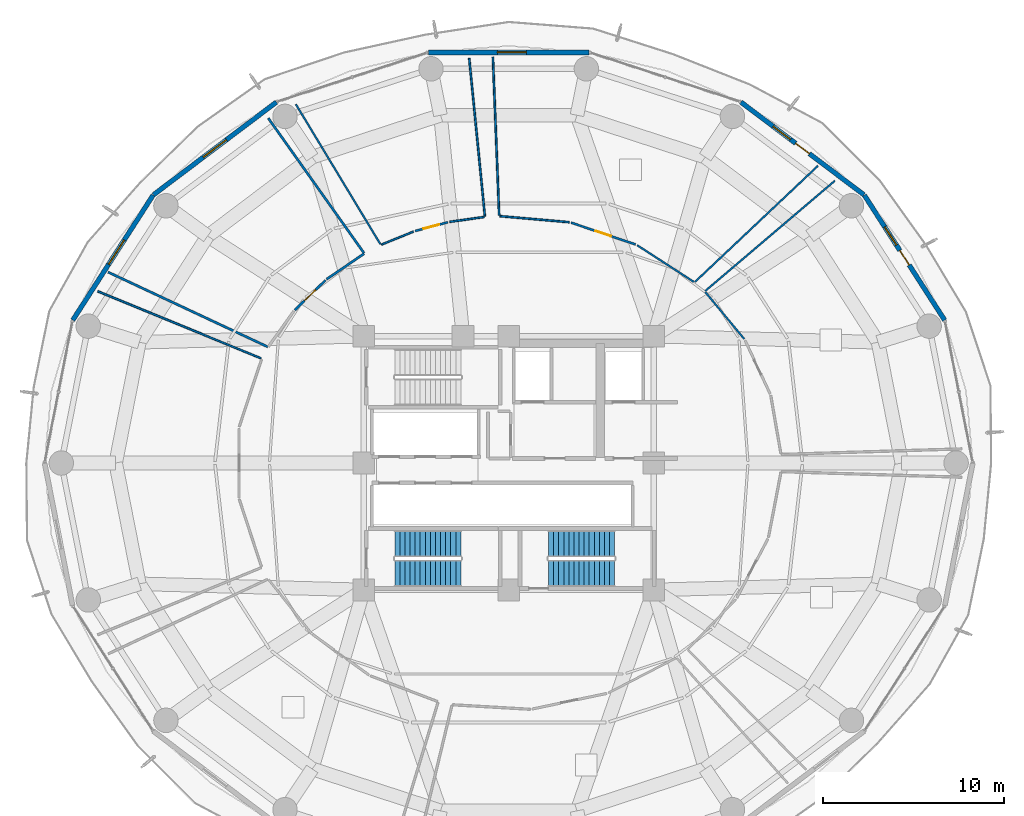
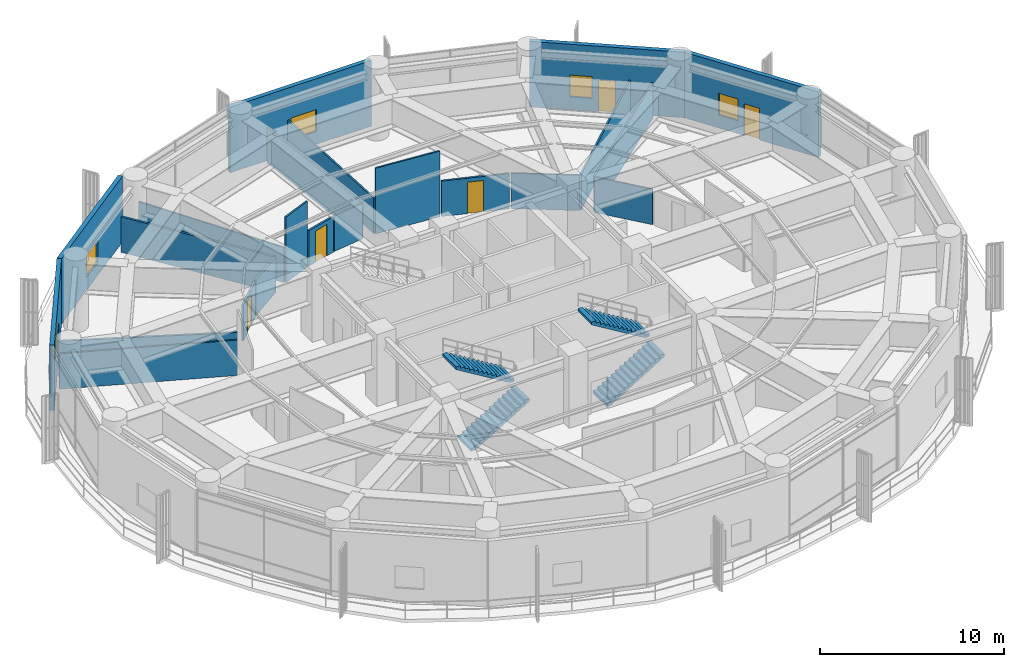
# One storey, part 29 of 34: 22 walls, 5 doors, 5 windows, 4 stair flights, 10 openings, 2 elements without a shape of their own.
"""IFC4 building model written with IfcOpenShell, lengths in metres."""

from ifc_helpers import new_model, si_unit, direction, frame, frame_2d, origin, place, context, subcontext, project, spatial, polyline, rectangle, outline, extrude, material, layer, layer_set, type_object, element, fill, aggregate, save


model = new_model("IFC4")

# Units and contexts
model_context = context("Model", 3, precision=1e-05, world=origin(), true_north=direction((0.0, 1.0)))
body_context = subcontext(model_context, "Body", "Model", "MODEL_VIEW")
ifc_project = project(units=[si_unit("LENGTHUNIT", "METRE"), si_unit("AREAUNIT", "SQUARE_METRE"), si_unit("VOLUMEUNIT", "CUBIC_METRE"), si_unit("PLANEANGLEUNIT", "RADIAN"), si_unit("MASSUNIT", "GRAM", prefix="KILO")], contexts=[model_context])

# Site, building, storey
site_placement = place(None, origin())
site = spatial("IfcSite", under=ifc_project, at=site_placement, CompositionType="ELEMENT")
building_placement = place(site_placement, origin())
building = spatial("IfcBuilding", under=site, at=building_placement, Name="Kelanora Arch Commons", CompositionType="ELEMENT")
storey_placement = place(building_placement, frame((0.0, 0.0, 125.10009765625)))
storey = spatial("IfcBuildingStorey", under=building, at=storey_placement, Name="L32", CompositionType="ELEMENT", Elevation=125.10009765625)

# Wall, openings, door, window
ifc_material_1 = material(Name="Precast concrete C40/50 with terracotta rainscreen", Category="masonry")
ifc_layer_1 = layer(ifc_material_1, 0.260009765625)
ifc_layer_set_1 = layer_set([ifc_layer_1], Name="Precast concrete C40/50 with terracotta rainscreen")
wall_type_1 = type_object("IfcWallType", Name="W-EXT-TC", PredefinedType="SOLIDWALL", material=ifc_layer_set_1)
wall_1_placement = place(storey_placement, frame((98.048095703125, 65.879150390625, 0.0), z_axis=(0.0, 0.0, 1.0), x_axis=(-0.540620528459, 0.841266571432, 0.0)))
wall_1 = element("IfcWall", 1, at=wall_1_placement, inside=storey, type_object=wall_type_1, Name="Terracotta Exterior Wall L32-B01", PredefinedType="SOLIDWALL", context=body_context, shape_type="SweptSolid", body=[
    extrude(rectangle(XDim=8.19287109375, YDim=0.260009765625, at=frame_2d((4.096435546875, 0.0))), origin(), (0.0, 0.0, 1.0), 4.344970703125),
])
opening_1_placement = place(wall_1_placement, frame((3.62109375, 0.0, 0.0)))
opening_1 = element("IfcOpeningElement", 2, at=opening_1_placement, cuts=wall_1, Name="Opening DB-01", PredefinedType="OPENING", context=body_context, shape_type="SweptSolid", body=[
    extrude(rectangle(XDim=0.949951171875, YDim=2.10009765625, at=frame_2d((0.47509765625, 1.050048828125))), frame((0.0, 0.14013671875, 0.0), z_axis=(0.0, -1.0, 0.0), x_axis=(1.0, 0.0, 0.0)), (0.0, 0.0, 1.0), 0.280029296875),
])
opening_2_placement = place(wall_1_placement, frame((4.9208984375, 0.0, 0.85009765625)))
opening_2 = element("IfcOpeningElement", 3, at=opening_2_placement, cuts=wall_1, Name="Opening WN-02", PredefinedType="OPENING", context=body_context, shape_type="SweptSolid", body=[
    extrude(rectangle(XDim=1.199951171875, YDim=1.449951171875, at=frame_2d((0.60009765625, 0.72509765625))), frame((0.0, 0.14013671875, 0.0), z_axis=(0.0, -1.0, 0.0), x_axis=(1.0, 0.0, 0.0)), (0.0, 0.0, 1.0), 0.280029296875),
])
ifc_material_2 = material(Name="Terracotta-aluminium thermally broken glazed balcony door", Category="masonry")
door_type_1 = type_object("IfcDoorType", Name="D-BAL-10", OperationType="NOTDEFINED", PredefinedType="DOOR", material=ifc_material_2)
door_1_placement = place(opening_1_placement, frame((0.949951171875, 0.0, 0.0), z_axis=(0.0, 0.0, 1.0), x_axis=(-1.0, 0.0, 0.0)))
door_1 = element("IfcDoor", 4, at=door_1_placement, inside=storey, type_object=door_type_1, Name="Wave Balcony Door L32-B01", OperationType="SINGLE_SWING_RIGHT", OverallHeight=2.10009765625, OverallWidth=0.949951171875, PredefinedType="DOOR", context=body_context, shape_type="SweptSolid", body=[
    extrude(rectangle(XDim=0.949951171875, YDim=2.10009765625, at=frame_2d((0.47509765625, 1.050048828125))), frame((0.0, 0.02490234375, 0.0), z_axis=(0.0, -1.0, 0.0), x_axis=(1.0, 0.0, 0.0)), (0.0, 0.0, 1.0), 0.050048828125),
])
fill(opening_1, door_1)
ifc_material_3 = material(Name="Terracotta-anodised aluminium frame with operable awning sash", Category="masonry")
window_type_1 = type_object("IfcWindowType", Name="WIN-CL-12", PartitioningType="SINGLE_PANEL", PredefinedType="WINDOW", material=ifc_material_3)
window_1_placement = place(opening_2_placement, origin())
window_1 = element("IfcWindow", 5, at=window_1_placement, inside=storey, type_object=window_type_1, Name="Co-Living Operable Window L32-B01", OverallHeight=1.449951171875, OverallWidth=1.199951171875, PartitioningType="SINGLE_PANEL", PredefinedType="WINDOW", context=body_context, shape_type="SweptSolid", body=[
    extrude(rectangle(XDim=1.199951171875, YDim=1.449951171875, at=frame_2d((0.60009765625, 0.72509765625))), frame((0.0, 0.030029296875, 0.0), z_axis=(0.0, -1.0, 0.0), x_axis=(1.0, 0.0, 0.0)), (0.0, 0.0, 1.0), 0.06005859375),
])
fill(opening_2, window_1)

wall_2_placement = place(storey_placement, frame((93.5986328125, 72.793212890625, 0.0), z_axis=(0.0, 0.0, 1.0), x_axis=(-0.798501507879, 0.601992808857, 0.0)))
wall_2 = element("IfcWall", 6, at=wall_2_placement, inside=storey, type_object=wall_type_1, Name="Terracotta Exterior Wall L32-B02", PredefinedType="SOLIDWALL", context=body_context, shape_type="SweptSolid", body=[
    extrude(rectangle(XDim=8.499267578125, YDim=0.260009765625, at=frame_2d((4.24951171875, 0.0))), origin(), (0.0, 0.0, 1.0), 4.344970703125),
])
opening_3_placement = place(wall_2_placement, frame((3.77490234375, 0.0, 0.0)))
opening_3 = element("IfcOpeningElement", 7, at=opening_3_placement, cuts=wall_2, Name="Opening DB-01", PredefinedType="OPENING", context=body_context, shape_type="SweptSolid", body=[
    extrude(rectangle(XDim=0.949951171875, YDim=2.10009765625, at=frame_2d((0.47509765625, 1.050048828125))), frame((0.0, 0.14013671875, 0.0), z_axis=(0.0, -1.0, 0.0), x_axis=(1.0, 0.0, 0.0)), (0.0, 0.0, 1.0), 0.280029296875),
])
opening_4_placement = place(wall_2_placement, frame((5.074951171875, 0.0, 0.85009765625)))
opening_4 = element("IfcOpeningElement", 8, at=opening_4_placement, cuts=wall_2, Name="Opening WN-02", PredefinedType="OPENING", context=body_context, shape_type="SweptSolid", body=[
    extrude(rectangle(XDim=1.199951171875, YDim=1.449951171875, at=frame_2d((0.60009765625, 0.72509765625))), frame((0.0, 0.14013671875, 0.0), z_axis=(0.0, -1.0, 0.0), x_axis=(1.0, 0.0, 0.0)), (0.0, 0.0, 1.0), 0.280029296875),
])
door_2_placement = place(opening_3_placement, frame((0.949951171875, 0.0, 0.0), z_axis=(0.0, 0.0, 1.0), x_axis=(-1.0, 0.0, 0.0)))
door_2 = element("IfcDoor", 9, at=door_2_placement, inside=storey, type_object=door_type_1, Name="Wave Balcony Door L32-B02", OperationType="SINGLE_SWING_LEFT", OverallHeight=2.10009765625, OverallWidth=0.949951171875, PredefinedType="DOOR", context=body_context, shape_type="SweptSolid", body=[
    extrude(rectangle(XDim=0.949951171875, YDim=2.10009765625, at=frame_2d((0.47509765625, 1.050048828125))), frame((0.0, 0.02490234375, 0.0), z_axis=(0.0, -1.0, 0.0), x_axis=(1.0, 0.0, 0.0)), (0.0, 0.0, 1.0), 0.050048828125),
])
fill(opening_3, door_2)
window_2_placement = place(opening_4_placement, origin())
window_2 = element("IfcWindow", 10, at=window_2_placement, inside=storey, type_object=window_type_1, Name="Co-Living Operable Window L32-B02", OverallHeight=1.449951171875, OverallWidth=1.199951171875, PartitioningType="SINGLE_PANEL", PredefinedType="WINDOW", context=body_context, shape_type="SweptSolid", body=[
    extrude(rectangle(XDim=1.199951171875, YDim=1.449951171875, at=frame_2d((0.60009765625, 0.72509765625))), frame((0.0, 0.030029296875, 0.0), z_axis=(0.0, -1.0, 0.0), x_axis=(1.0, 0.0, 0.0)), (0.0, 0.0, 1.0), 0.06005859375),
])
fill(opening_4, window_2)

# Wall, opening, window
wall_3_placement = place(storey_placement, frame((78.430419921875, 80.650634765625, 0.0), z_axis=(0.0, 0.0, 1.0), x_axis=(-1.0, 0.0, 0.0)))
wall_3 = element("IfcWall", 11, at=wall_3_placement, inside=storey, type_object=wall_type_1, Name="Terracotta Exterior Wall L32-B04", PredefinedType="SOLIDWALL", context=body_context, shape_type="SweptSolid", body=[
    extrude(rectangle(XDim=8.86083984375, YDim=0.260009765625, at=frame_2d((4.430419921875, 0.0))), origin(), (0.0, 0.0, 1.0), 4.344970703125),
])
opening_5_placement = place(wall_3_placement, frame((3.449951171875, 0.0, 0.85009765625)))
opening_5 = element("IfcOpeningElement", 12, at=opening_5_placement, cuts=wall_3, Name="Opening WN-01", PredefinedType="OPENING", context=body_context, shape_type="SweptSolid", body=[
    extrude(rectangle(XDim=1.60009765625, YDim=1.449951171875, at=frame_2d((0.800048828125, 0.72509765625))), frame((0.0, 0.14013671875, 0.0), z_axis=(0.0, -1.0, 0.0), x_axis=(1.0, 0.0, 0.0)), (0.0, 0.0, 1.0), 0.280029296875),
])
ifc_material_4 = material(Name="Terracotta-anodised aluminium frame with operable low-E glazing", Category="masonry")
window_type_2 = type_object("IfcWindowType", Name="WIN-CL-18", PartitioningType="DOUBLE_PANEL_VERTICAL", PredefinedType="WINDOW", material=ifc_material_4)
window_3_placement = place(opening_5_placement, origin())
window_3 = element("IfcWindow", 13, at=window_3_placement, inside=storey, type_object=window_type_2, Name="Co-Living Operable Window L32-B04", OverallHeight=1.449951171875, OverallWidth=1.60009765625, PartitioningType="SINGLE_PANEL", PredefinedType="WINDOW", context=body_context, shape_type="SweptSolid", body=[
    extrude(rectangle(XDim=1.60009765625, YDim=1.449951171875, at=frame_2d((0.800048828125, 0.72509765625))), frame((0.0, 0.030029296875, 0.0), z_axis=(0.0, -1.0, 0.0), x_axis=(1.0, 0.0, 0.0)), (0.0, 0.0, 1.0), 0.06005859375),
])
fill(opening_5, window_3)

wall_4_placement = place(storey_placement, frame((61.18798828125, 77.90966796875, 0.0), z_axis=(0.0, 0.0, 1.0), x_axis=(-0.798501507879, -0.601992808857, 0.0)))
wall_4 = element("IfcWall", 14, at=wall_4_placement, inside=storey, type_object=wall_type_1, Name="Terracotta Exterior Wall L32-B06", PredefinedType="SOLIDWALL", context=body_context, shape_type="SweptSolid", body=[
    extrude(rectangle(XDim=8.499267578125, YDim=0.260009765625, at=frame_2d((4.24951171875, 0.0))), origin(), (0.0, 0.0, 1.0), 4.344970703125),
])
opening_6_placement = place(wall_4_placement, frame((3.449951171875, 0.0, 0.85009765625)))
opening_6 = element("IfcOpeningElement", 15, at=opening_6_placement, cuts=wall_4, Name="Opening WN-01", PredefinedType="OPENING", context=body_context, shape_type="SweptSolid", body=[
    extrude(rectangle(XDim=1.60009765625, YDim=1.449951171875, at=frame_2d((0.800048828125, 0.72509765625))), frame((0.0, 0.14013671875, 0.0), z_axis=(0.0, -1.0, 0.0), x_axis=(1.0, 0.0, 0.0)), (0.0, 0.0, 1.0), 0.280029296875),
])
window_4_placement = place(opening_6_placement, origin())
window_4 = element("IfcWindow", 16, at=window_4_placement, inside=storey, type_object=window_type_2, Name="Co-Living Operable Window L32-B06", OverallHeight=1.449951171875, OverallWidth=1.60009765625, PartitioningType="SINGLE_PANEL", PredefinedType="WINDOW", context=body_context, shape_type="SweptSolid", body=[
    extrude(rectangle(XDim=1.60009765625, YDim=1.449951171875, at=frame_2d((0.800048828125, 0.72509765625))), frame((0.0, 0.030029296875, 0.0), z_axis=(0.0, -1.0, 0.0), x_axis=(1.0, 0.0, 0.0)), (0.0, 0.0, 1.0), 0.06005859375),
])
fill(opening_6, window_4)

wall_5_placement = place(storey_placement, frame((54.381103515625, 72.771484375, 0.0), z_axis=(0.0, 0.0, 1.0), x_axis=(-0.540620528459, -0.841266571432, 0.0)))
wall_5 = element("IfcWall", 17, at=wall_5_placement, inside=storey, type_object=wall_type_1, Name="Terracotta Exterior Wall L32-B07", PredefinedType="SOLIDWALL", context=body_context, shape_type="SweptSolid", body=[
    extrude(rectangle(XDim=8.19287109375, YDim=0.260009765625, at=frame_2d((4.096435546875, 0.0))), origin(), (0.0, 0.0, 1.0), 4.344970703125),
])
opening_7_placement = place(wall_5_placement, frame((2.93603515625, 0.0, 0.85009765625)))
opening_7 = element("IfcOpeningElement", 18, at=opening_7_placement, cuts=wall_5, Name="Opening WN-01", PredefinedType="OPENING", context=body_context, shape_type="SweptSolid", body=[
    extrude(rectangle(XDim=1.60009765625, YDim=1.449951171875, at=frame_2d((0.800048828125, 0.72509765625))), frame((0.0, 0.14013671875, 0.0), z_axis=(0.0, -1.0, 0.0), x_axis=(1.0, 0.0, 0.0)), (0.0, 0.0, 1.0), 0.280029296875),
])
window_5_placement = place(opening_7_placement, origin())
window_5 = element("IfcWindow", 19, at=window_5_placement, inside=storey, type_object=window_type_2, Name="Co-Living Operable Window L32-B07", OverallHeight=1.449951171875, OverallWidth=1.60009765625, PartitioningType="SINGLE_PANEL", PredefinedType="WINDOW", context=body_context, shape_type="SweptSolid", body=[
    extrude(rectangle(XDim=1.60009765625, YDim=1.449951171875, at=frame_2d((0.800048828125, 0.72509765625))), frame((0.0, 0.030029296875, 0.0), z_axis=(0.0, -1.0, 0.0), x_axis=(1.0, 0.0, 0.0)), (0.0, 0.0, 1.0), 0.06005859375),
])
fill(opening_7, window_5)

# Walls
ifc_material_5 = material(Name="Lightweight fire-rated acoustic stud partition")
ifc_layer_2 = layer(ifc_material_5, 0.10009765625)
ifc_layer_set_2 = layer_set([ifc_layer_2], Name="Lightweight fire-rated acoustic stud partition")
wall_type_2 = type_object("IfcWallType", Name="W-PART-100", PredefinedType="PARTITIONING", material=ifc_layer_set_2)
wall_6_placement = place(storey_placement, frame((51.333984375, 67.472900390625, 0.0), z_axis=(0.0, 0.0, 1.0), x_axis=(0.925076928734, -0.379779772927, 0.0)))
element("IfcWall", 20, at=wall_6_placement, inside=storey, type_object=wall_type_2, Name="Low-to-Mid Sky Transfer Concourse L32 Enclosure Partition 8", PredefinedType="PARTITIONING", context=body_context, shape_type="SweptSolid", body=[
    extrude(rectangle(XDim=9.736572265625, YDim=0.10009765625, at=frame_2d((4.8681640625, 0.0))), origin(), (0.0, 0.0, 1.0), 2.344970703125),
])
wall_7_placement = place(storey_placement, frame((86.990478515625, 64.845703125, 0.0), z_axis=(0.0, 0.0, 1.0), x_axis=(-0.638993310166, 0.769212291609, 0.0)))
element("IfcWall", 21, at=wall_7_placement, inside=storey, type_object=wall_type_2, Name="Group Seminar Room L32-1 Enclosure Partition 3", PredefinedType="PARTITIONING", context=body_context, shape_type="SweptSolid", body=[
    extrude(rectangle(XDim=3.369140625, YDim=0.10009765625, at=frame_2d((1.6845703125, 0.0))), origin(), (0.0, 0.0, 1.0), 2.344970703125),
])
wall_8_placement = place(storey_placement, frame((84.842529296875, 67.493896484375, 0.0), z_axis=(0.0, 0.0, 1.0), x_axis=(0.761881513516, 0.647716418939, 0.0)))
element("IfcWall", 22, at=wall_8_placement, inside=storey, type_object=wall_type_2, Name="Group Seminar Room L32-1 Enclosure Partition 4", PredefinedType="PARTITIONING", context=body_context, shape_type="SweptSolid", body=[
    extrude(rectangle(XDim=9.37939453125, YDim=0.10009765625, at=frame_2d((4.689697265625, 0.0))), origin(), (0.0, 0.0, 1.0), 2.344970703125),
])
wall_9_placement = place(storey_placement, frame((84.21630859375, 67.98974609375, 0.0), z_axis=(0.0, 0.0, 1.0), x_axis=(-0.839536739544, 0.54330292007, 0.0)))
element("IfcWall", 23, at=wall_9_placement, inside=storey, type_object=wall_type_2, Name="Maker and Robotics Workshop L32-2 Enclosure Partition 1", PredefinedType="PARTITIONING", context=body_context, shape_type="SweptSolid", body=[
    extrude(rectangle(XDim=3.724365234375, YDim=0.10009765625, at=frame_2d((1.8623046875, 0.0))), origin(), (0.0, 0.0, 1.0), 2.344970703125),
])
wall_10_placement = place(storey_placement, frame((77.34130859375, 71.284423828125, 0.0), z_axis=(0.0, 0.0, 1.0), x_axis=(-0.996212391701, 0.086953266882, 0.0)))
element("IfcWall", 24, at=wall_10_placement, inside=storey, type_object=wall_type_2, Name="Maker and Robotics Workshop L32-2 Enclosure Partition 3", PredefinedType="PARTITIONING", context=body_context, shape_type="SweptSolid", body=[
    extrude(rectangle(XDim=3.841064453125, YDim=0.10009765625, at=frame_2d((1.92041015625, 0.0))), origin(), (0.0, 0.0, 1.0), 4.349853515625),
])
wall_11_placement = place(storey_placement, frame((73.473388671875, 71.662109375, 0.0), z_axis=(0.0, 0.0, 1.0), x_axis=(-0.039550848763, 0.999217559074, 0.0)))
element("IfcWall", 25, at=wall_11_placement, inside=storey, type_object=wall_type_2, Name="Maker and Robotics Workshop L32-2 Enclosure Partition 4", PredefinedType="PARTITIONING", context=body_context, shape_type="SweptSolid", body=[
    extrude(rectangle(XDim=8.74072265625, YDim=0.10009765625, at=frame_2d((4.370361328125, 0.0))), origin(), (0.0, 0.0, 1.0), 2.344970703125),
])
wall_12_placement = place(storey_placement, frame((91.054931640625, 74.3916015625, 0.0), z_axis=(0.0, 0.0, 1.0), x_axis=(-0.727197691168, -0.686428086518, 0.0)))
element("IfcWall", 26, at=wall_12_placement, inside=storey, type_object=wall_type_2, Name="Maker and Robotics Workshop L32-2 Enclosure Partition 8", PredefinedType="PARTITIONING", context=body_context, shape_type="SweptSolid", body=[
    extrude(rectangle(XDim=9.31787109375, YDim=0.10009765625, at=frame_2d((4.658935546875, 0.0))), origin(), (0.0, 0.0, 1.0), 2.344970703125),
])
wall_13_placement = place(storey_placement, frame((72.650390625, 71.572509765625, 0.0), z_axis=(0.0, 0.0, 1.0), x_axis=(-0.990208987284, -0.139592841869, 0.0)))
element("IfcWall", 27, at=wall_13_placement, inside=storey, type_object=wall_type_2, Name="Central Student Laundry Hub L32 Enclosure Partition 1", PredefinedType="PARTITIONING", context=body_context, shape_type="SweptSolid", body=[
    extrude(rectangle(XDim=1.925537109375, YDim=0.10009765625, at=frame_2d((0.962890625, 0.0))), origin(), (0.0, 0.0, 1.0), 2.344970703125),
])
wall_14_placement = place(storey_placement, frame((68.739990234375, 70.765869140625, 0.0), z_axis=(0.0, 0.0, 1.0), x_axis=(-0.926243678435, -0.376925255402, 0.0)))
element("IfcWall", 28, at=wall_14_placement, inside=storey, type_object=wall_type_2, Name="Central Student Laundry Hub L32 Enclosure Partition 3", PredefinedType="PARTITIONING", context=body_context, shape_type="SweptSolid", body=[
    extrude(rectangle(XDim=1.899169921875, YDim=0.10009765625, at=frame_2d((0.94970703125, 0.0))), origin(), (0.0, 0.0, 1.0), 4.349853515625),
])
wall_15_placement = place(storey_placement, frame((66.92333984375, 70.069091796875, 0.0), z_axis=(0.0, 0.0, 1.0), x_axis=(-0.517049525693, 0.855955482476, 0.0)))
element("IfcWall", 29, at=wall_15_placement, inside=storey, type_object=wall_type_2, Name="Central Student Laundry Hub L32 Enclosure Partition 4", PredefinedType="PARTITIONING", context=body_context, shape_type="SweptSolid", body=[
    extrude(rectangle(XDim=9.017822265625, YDim=0.10009765625, at=frame_2d((4.5087890625, 0.0))), origin(), (0.0, 0.0, 1.0), 2.344970703125),
])
wall_16_placement = place(storey_placement, frame((71.821044921875, 80.3251953125, 0.0), z_axis=(0.0, 0.0, 1.0), x_axis=(0.098854507854, -0.995101897434, 0.0)))
element("IfcWall", 30, at=wall_16_placement, inside=storey, type_object=wall_type_2, Name="Central Student Laundry Hub L32 Enclosure Partition 8", PredefinedType="PARTITIONING", context=body_context, shape_type="SweptSolid", body=[
    extrude(rectangle(XDim=8.750244140625, YDim=0.10009765625, at=frame_2d((4.375, 0.0))), origin(), (0.0, 0.0, 1.0), 2.344970703125),
])

# Wall, opening, door
ifc_material_6 = material(Name="Acoustic twin-stud fire-rated gypsum partition")
ifc_layer_3 = layer(ifc_material_6, 0.1201171875)
ifc_layer_set_3 = layer_set([ifc_layer_3], Name="Acoustic twin-stud fire-rated gypsum partition")
wall_type_3 = type_object("IfcWallType", Name="W-PART-120", PredefinedType="PARTITIONING", material=ifc_layer_set_3)
wall_17_placement = place(storey_placement, frame((80.999267578125, 70.05419921875, 0.0), z_axis=(0.0, 0.0, 1.0), x_axis=(-0.947047812155, 0.321092574645, 0.0)))
wall_17 = element("IfcWall", 31, at=wall_17_placement, inside=storey, type_object=wall_type_3, Name="Maker and Robotics Workshop L32-2 Entry Partition", PredefinedType="PARTITIONING", context=body_context, shape_type="SweptSolid", body=[
    extrude(rectangle(XDim=3.7607421875, YDim=0.1201171875, at=frame_2d((1.88037109375, 0.0))), origin(), (0.0, 0.0, 1.0), 2.344970703125),
])
opening_8_placement = place(wall_17_placement, frame((1.429931640625, 0.0, 0.0)))
opening_8 = element("IfcOpeningElement", 32, at=opening_8_placement, cuts=wall_17, Name="Opening D-RM1", PredefinedType="OPENING", context=body_context, shape_type="SweptSolid", body=[
    extrude(rectangle(XDim=0.89990234375, YDim=2.080078125, at=frame_2d((0.449951171875, 1.0400390625))), frame((0.0, 0.070068359375, 0.0), z_axis=(0.0, -1.0, 0.0), x_axis=(1.0, 0.0, 0.0)), (0.0, 0.0, 1.0), 0.14013671875),
])
ifc_material_7 = material(Name="Acoustic fire-rated timber study and lounge door", Category="wood")
door_type_2 = type_object("IfcDoorType", Name="D-ROOM-90", OperationType="NOTDEFINED", PredefinedType="DOOR", material=ifc_material_7)
door_3_placement = place(opening_8_placement, origin())
door_3 = element("IfcDoor", 33, at=door_3_placement, inside=storey, type_object=door_type_2, Name="Maker and Robotics Workshop L32-2 Door", OperationType="SINGLE_SWING_RIGHT", OverallHeight=2.080078125, OverallWidth=0.89990234375, PredefinedType="DOOR", context=body_context, shape_type="SweptSolid", body=[
    extrude(rectangle(XDim=0.89990234375, YDim=2.080078125, at=frame_2d((0.449951171875, 1.0400390625))), frame((0.0, 0.02490234375, 0.0), z_axis=(0.0, -1.0, 0.0), x_axis=(1.0, 0.0, 0.0)), (0.0, 0.0, 1.0), 0.050048828125),
])
fill(opening_8, door_3)

wall_18_placement = place(storey_placement, frame((70.64599609375, 71.282470703125, 0.0), z_axis=(0.0, 0.0, 1.0), x_axis=(-0.965816604619, -0.259226322432, 0.0)))
wall_18 = element("IfcWall", 34, at=wall_18_placement, inside=storey, type_object=wall_type_3, Name="Central Student Laundry Hub L32 Entry Partition", PredefinedType="PARTITIONING", context=body_context, shape_type="SweptSolid", body=[
    extrude(rectangle(XDim=1.875244140625, YDim=0.1201171875, at=frame_2d((0.9375, 0.0))), origin(), (0.0, 0.0, 1.0), 2.344970703125),
])
opening_9_placement = place(wall_18_placement, frame((0.488037109375, 0.0, 0.0)))
opening_9 = element("IfcOpeningElement", 35, at=opening_9_placement, cuts=wall_18, Name="Opening D-RM1", PredefinedType="OPENING", context=body_context, shape_type="SweptSolid", body=[
    extrude(rectangle(XDim=0.89990234375, YDim=2.080078125, at=frame_2d((0.449951171875, 1.0400390625))), frame((0.0, 0.070068359375, 0.0), z_axis=(0.0, -1.0, 0.0), x_axis=(1.0, 0.0, 0.0)), (0.0, 0.0, 1.0), 0.14013671875),
])
door_4_placement = place(opening_9_placement, origin())
door_4 = element("IfcDoor", 36, at=door_4_placement, inside=storey, type_object=door_type_2, Name="Central Student Laundry Hub L32 Door", OperationType="SINGLE_SWING_LEFT", OverallHeight=2.080078125, OverallWidth=0.89990234375, PredefinedType="DOOR", context=body_context, shape_type="SweptSolid", body=[
    extrude(rectangle(XDim=0.89990234375, YDim=2.080078125, at=frame_2d((0.449951171875, 1.0400390625))), frame((0.0, 0.02490234375, 0.0), z_axis=(0.0, -1.0, 0.0), x_axis=(1.0, 0.0, 0.0)), (0.0, 0.0, 1.0), 0.050048828125),
])
fill(opening_9, door_4)

ifc_material_8 = material(Name="Moisture-resistant fire-rated cement-board plumbing wall")
ifc_layer_4 = layer(ifc_material_8, 0.1298828125)
ifc_layer_set_4 = layer_set([ifc_layer_4], Name="Moisture-resistant fire-rated cement-board plumbing wall")
wall_type_4 = type_object("IfcWallType", Name="W-WET-120", PredefinedType="PLUMBINGWALL", material=ifc_layer_set_4)
wall_19_placement = place(storey_placement, frame((63.89990234375, 68.087158203125, 0.0), z_axis=(0.0, 0.0, 1.0), x_axis=(-0.716864910911, -0.697212090762, 0.0)))
wall_19 = element("IfcWall", 37, at=wall_19_placement, inside=storey, type_object=wall_type_4, Name="Sky Lobby Accessible Toilets L32 Entry Partition", PredefinedType="PLUMBINGWALL", context=body_context, shape_type="SweptSolid", body=[
    extrude(rectangle(XDim=2.372802734375, YDim=0.1298828125, at=frame_2d((1.1865234375, 0.0))), origin(), (0.0, 0.0, 1.0), 2.344970703125),
])
opening_10_placement = place(wall_19_placement, frame((0.756103515625, 0.0, 0.0)))
opening_10 = element("IfcOpeningElement", 38, at=opening_10_placement, cuts=wall_19, Name="Opening D-BT1", PredefinedType="OPENING", context=body_context, shape_type="SweptSolid", body=[
    extrude(rectangle(XDim=0.860107421875, YDim=2.050048828125, at=frame_2d((0.43017578125, 1.02490234375))), frame((0.0, 0.074951171875, 0.0), z_axis=(0.0, -1.0, 0.0), x_axis=(1.0, 0.0, 0.0)), (0.0, 0.0, 1.0), 0.14990234375),
])
ifc_material_9 = material(Name="Moisture-sealed fire-rated accessible bathroom door")
door_type_3 = type_object("IfcDoorType", Name="D-BATH-85", OperationType="NOTDEFINED", PredefinedType="DOOR", material=ifc_material_9)
door_5_placement = place(opening_10_placement, origin())
door_5 = element("IfcDoor", 39, at=door_5_placement, inside=storey, type_object=door_type_3, Name="Sky Lobby Accessible Toilets L32 Door", OperationType="SINGLE_SWING_RIGHT", OverallHeight=2.050048828125, OverallWidth=0.860107421875, PredefinedType="DOOR", context=body_context, shape_type="SweptSolid", body=[
    extrude(rectangle(XDim=0.860107421875, YDim=2.050048828125, at=frame_2d((0.43017578125, 1.02490234375))), frame((0.0, 0.02490234375, 0.0), z_axis=(0.0, -1.0, 0.0), x_axis=(1.0, 0.0, 0.0)), (0.0, 0.0, 1.0), 0.050048828125),
])
fill(opening_10, door_5)

# Walls
wall_20_placement = place(storey_placement, frame((66.0185546875, 69.547607421875, 0.0), z_axis=(0.0, 0.0, 1.0), x_axis=(-0.825609680296, -0.564241664362, 0.0)))
element("IfcWall", 40, at=wall_20_placement, inside=storey, type_object=wall_type_4, Name="Sky Lobby Accessible Toilets L32 Enclosure Partition 1", PredefinedType="PLUMBINGWALL", context=body_context, shape_type="SweptSolid", body=[
    extrude(rectangle(XDim=2.493896484375, YDim=0.1298828125, at=frame_2d((1.2470703125, 0.0))), origin(), (0.0, 0.0, 1.0), 2.344970703125),
])
wall_21_placement = place(storey_placement, frame((60.7109375, 64.407470703125, 0.0), z_axis=(0.0, 0.0, 1.0), x_axis=(-0.905697197088, 0.423925214143, 0.0)))
element("IfcWall", 41, at=wall_21_placement, inside=storey, type_object=wall_type_4, Name="Sky Lobby Accessible Toilets L32 Enclosure Partition 4", PredefinedType="PLUMBINGWALL", context=body_context, shape_type="SweptSolid", body=[
    extrude(rectangle(XDim=9.728271484375, YDim=0.1298828125, at=frame_2d((4.8642578125, 0.0))), origin(), (0.0, 0.0, 1.0), 2.344970703125),
])
wall_22_placement = place(storey_placement, frame((60.737548828125, 77.022705078125, 0.0), z_axis=(0.0, 0.0, 1.0), x_axis=(0.578787723886, -0.815478246601, 0.0)))
element("IfcWall", 42, at=wall_22_placement, inside=storey, type_object=wall_type_4, Name="Sky Lobby Accessible Toilets L32 Enclosure Partition 8", PredefinedType="PLUMBINGWALL", context=body_context, shape_type="SweptSolid", body=[
    extrude(rectangle(XDim=9.132568359375, YDim=0.1298828125, at=frame_2d((4.56640625, 0.0))), origin(), (0.0, 0.0, 1.0), 2.344970703125),
])

# Stair, stair flights
ifc_material_10 = material(Name="Concrete C40/50", Category="concrete")
stair_type = type_object("IfcStairType", Name="STR-DL-476", PredefinedType="HALF_TURN_STAIR", material=ifc_material_10)
stair_1_placement = place(storey_placement, origin())
stair_1 = element("IfcStair", 43, at=stair_1_placement, inside=storey, type_object=stair_type, Name="L32 ST-T2", PredefinedType="HALF_TURN_STAIR")
stair_flight_type = type_object("IfcStairFlightType", Name="FLT-DL-476", PredefinedType="STRAIGHT", material=ifc_material_10)
stair_flight_1_placement = place(storey_placement, frame((76.199951171875, 51.919921875, 0.0), z_axis=(0.0, 0.0, 1.0), x_axis=(1.0, 0.0, 0.0)))
stair_flight_1 = element("IfcStairFlight", 44, at=stair_flight_1_placement, type_object=stair_flight_type, Name="ST-T2 flight 1", NumberOfRisers=14, NumberOfTreads=13, PredefinedType="STRAIGHT", RiserHeight=0.17, TreadLength=0.28, context=body_context, shape_type="SweptSolid", body=[
    extrude(outline(polyline([(0.0, 0.0), (0.0, 0.169921875), (0.280029296875, 0.169921875), (0.280029296875, 0.340087890625), (0.56005859375, 0.340087890625), (0.56005859375, 0.510009765625), (0.840087890625, 0.510009765625), (0.840087890625, 0.679931640625), (1.1201171875, 0.679931640625), (1.1201171875, 0.85009765625), (1.39990234375, 0.85009765625), (1.39990234375, 1.02001953125), (1.679931640625, 1.02001953125), (1.679931640625, 1.18994140625), (1.9599609375, 1.18994140625), (1.9599609375, 1.360107421875), (2.239990234375, 1.360107421875), (2.239990234375, 1.530029296875), (2.52001953125, 1.530029296875), (2.52001953125, 1.699951171875), (2.800048828125, 1.699951171875), (2.800048828125, 1.8701171875), (3.080078125, 1.8701171875), (3.080078125, 2.0400390625), (3.360107421875, 2.0400390625), (3.360107421875, 2.2099609375), (3.639892578125, 2.2099609375), (3.639892578125, 2.3798828125), (3.639892578125, 2.03466796875), (0.288818359375, 0.0), (0.0, 0.0)])), frame((0.0, 0.739990234375, 0.0), z_axis=(0.0, -1.0, 0.0), x_axis=(1.0, 0.0, 0.0)), (0.0, 0.0, 1.0), 1.47998046875),
])
stair_flight_2_placement = place(storey_placement, frame((79.840087890625, 53.550048828125, 2.3798828125), z_axis=(0.0, 0.0, 1.0), x_axis=(-1.0, 0.0, 0.0)))
stair_flight_2 = element("IfcStairFlight", 45, at=stair_flight_2_placement, type_object=stair_flight_type, Name="ST-T2 flight 2", NumberOfRisers=14, NumberOfTreads=13, PredefinedType="STRAIGHT", RiserHeight=0.17, TreadLength=0.28, context=body_context, shape_type="SweptSolid", body=[
    extrude(outline(polyline([(0.0, 0.0), (0.0, 0.169921875), (0.280029296875, 0.169921875), (0.280029296875, 0.340087890625), (0.56005859375, 0.340087890625), (0.56005859375, 0.510009765625), (0.840087890625, 0.510009765625), (0.840087890625, 0.679931640625), (1.1201171875, 0.679931640625), (1.1201171875, 0.85009765625), (1.39990234375, 0.85009765625), (1.39990234375, 1.02001953125), (1.679931640625, 1.02001953125), (1.679931640625, 1.18994140625), (1.9599609375, 1.18994140625), (1.9599609375, 1.360107421875), (2.239990234375, 1.360107421875), (2.239990234375, 1.530029296875), (2.52001953125, 1.530029296875), (2.52001953125, 1.699951171875), (2.800048828125, 1.699951171875), (2.800048828125, 1.8701171875), (3.080078125, 1.8701171875), (3.080078125, 2.0400390625), (3.360107421875, 2.0400390625), (3.360107421875, 2.2099609375), (3.639892578125, 2.2099609375), (3.639892578125, 2.3798828125), (3.639892578125, 2.03466796875), (0.288818359375, 0.0), (0.0, 0.0)])), frame((0.0, 0.739990234375, 0.0), z_axis=(0.0, -1.0, 0.0), x_axis=(1.0, 0.0, 0.0)), (0.0, 0.0, 1.0), 1.47998046875),
])
aggregate(stair_1, [stair_flight_1, stair_flight_2])

stair_2_placement = place(storey_placement, origin())
stair_2 = element("IfcStair", 46, at=stair_2_placement, inside=storey, type_object=stair_type, Name="L32 ST-T3", PredefinedType="HALF_TURN_STAIR")
stair_flight_3_placement = place(storey_placement, frame((67.719970703125, 51.919921875, 0.0), z_axis=(0.0, 0.0, 1.0), x_axis=(1.0, 0.0, 0.0)))
stair_flight_3 = element("IfcStairFlight", 47, at=stair_flight_3_placement, type_object=stair_flight_type, Name="ST-T3 flight 1", NumberOfRisers=14, NumberOfTreads=13, PredefinedType="STRAIGHT", RiserHeight=0.17, TreadLength=0.28, context=body_context, shape_type="SweptSolid", body=[
    extrude(outline(polyline([(0.0, 0.0), (0.0, 0.169921875), (0.280029296875, 0.169921875), (0.280029296875, 0.340087890625), (0.56005859375, 0.340087890625), (0.56005859375, 0.510009765625), (0.840087890625, 0.510009765625), (0.840087890625, 0.679931640625), (1.1201171875, 0.679931640625), (1.1201171875, 0.85009765625), (1.39990234375, 0.85009765625), (1.39990234375, 1.02001953125), (1.679931640625, 1.02001953125), (1.679931640625, 1.18994140625), (1.9599609375, 1.18994140625), (1.9599609375, 1.360107421875), (2.239990234375, 1.360107421875), (2.239990234375, 1.530029296875), (2.52001953125, 1.530029296875), (2.52001953125, 1.699951171875), (2.800048828125, 1.699951171875), (2.800048828125, 1.8701171875), (3.080078125, 1.8701171875), (3.080078125, 2.0400390625), (3.360107421875, 2.0400390625), (3.360107421875, 2.2099609375), (3.639892578125, 2.2099609375), (3.639892578125, 2.3798828125), (3.639892578125, 2.03466796875), (0.288818359375, 0.0), (0.0, 0.0)])), frame((0.0, 0.739990234375, 0.0), z_axis=(0.0, -1.0, 0.0), x_axis=(1.0, 0.0, 0.0)), (0.0, 0.0, 1.0), 1.47998046875),
])
stair_flight_4_placement = place(storey_placement, frame((71.360107421875, 53.550048828125, 2.3798828125), z_axis=(0.0, 0.0, 1.0), x_axis=(-1.0, 0.0, 0.0)))
stair_flight_4 = element("IfcStairFlight", 48, at=stair_flight_4_placement, type_object=stair_flight_type, Name="ST-T3 flight 2", NumberOfRisers=14, NumberOfTreads=13, PredefinedType="STRAIGHT", RiserHeight=0.17, TreadLength=0.28, context=body_context, shape_type="SweptSolid", body=[
    extrude(outline(polyline([(0.0, 0.0), (0.0, 0.169921875), (0.280029296875, 0.169921875), (0.280029296875, 0.340087890625), (0.56005859375, 0.340087890625), (0.56005859375, 0.510009765625), (0.840087890625, 0.510009765625), (0.840087890625, 0.679931640625), (1.1201171875, 0.679931640625), (1.1201171875, 0.85009765625), (1.39990234375, 0.85009765625), (1.39990234375, 1.02001953125), (1.679931640625, 1.02001953125), (1.679931640625, 1.18994140625), (1.9599609375, 1.18994140625), (1.9599609375, 1.360107421875), (2.239990234375, 1.360107421875), (2.239990234375, 1.530029296875), (2.52001953125, 1.530029296875), (2.52001953125, 1.699951171875), (2.800048828125, 1.699951171875), (2.800048828125, 1.8701171875), (3.080078125, 1.8701171875), (3.080078125, 2.0400390625), (3.360107421875, 2.0400390625), (3.360107421875, 2.2099609375), (3.639892578125, 2.2099609375), (3.639892578125, 2.3798828125), (3.639892578125, 2.03466796875), (0.288818359375, 0.0), (0.0, 0.0)])), frame((0.0, 0.739990234375, 0.0), z_axis=(0.0, -1.0, 0.0), x_axis=(1.0, 0.0, 0.0)), (0.0, 0.0, 1.0), 1.47998046875),
])
aggregate(stair_2, [stair_flight_3, stair_flight_4])

save(model, "model.ifc")
